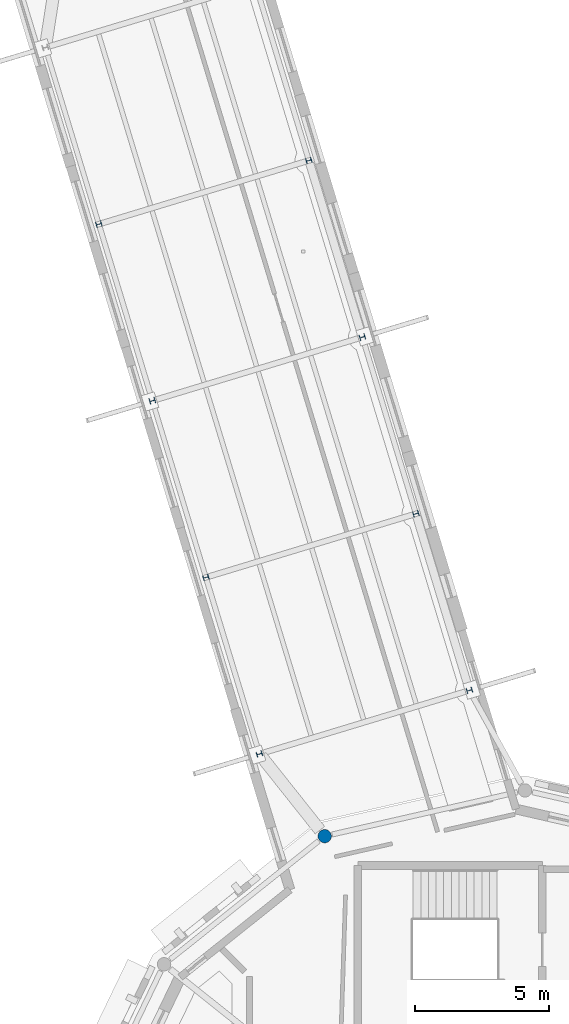
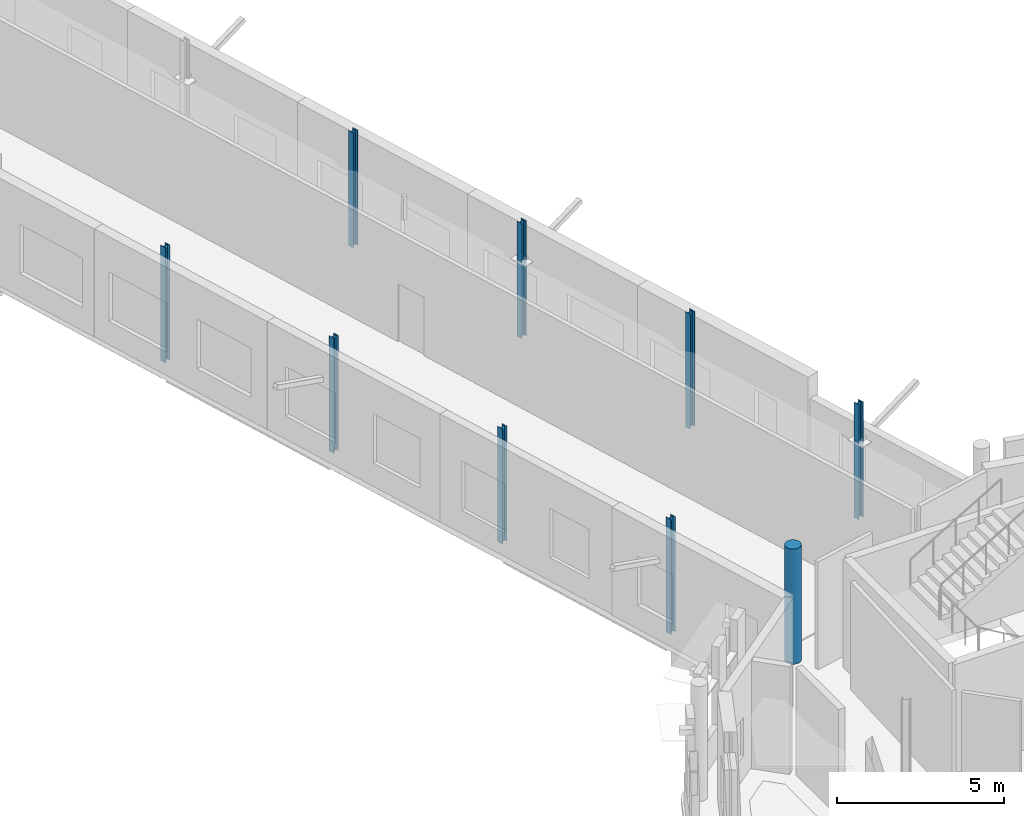
# One storey, part 3 of 90: 9 columns.
"""IFC4 building model written with IfcOpenShell, lengths in metres."""

from ifc_helpers import new_model, si_unit, direction, frame, origin, origin_2d, place, context, subcontext, project, spatial, circle, i_section, extrude, material, material_profile, profile_set, type_object, element, save


model = new_model("IFC4")

# Units and contexts
model_context = context("Model", 3, precision=1e-05, world=origin(), true_north=direction((0.0, 1.0)))
body_context = subcontext(model_context, "Body", "Model", "MODEL_VIEW")
ifc_project = project(units=[si_unit("LENGTHUNIT", "METRE"), si_unit("AREAUNIT", "SQUARE_METRE"), si_unit("VOLUMEUNIT", "CUBIC_METRE"), si_unit("PLANEANGLEUNIT", "RADIAN"), si_unit("MASSUNIT", "GRAM", prefix="KILO")], contexts=[model_context])

# Site, building, storey
site_placement = place(None, origin())
site = spatial("IfcSite", under=ifc_project, at=site_placement, CompositionType="ELEMENT")
building_placement = place(site_placement, origin())
building = spatial("IfcBuilding", under=site, at=building_placement, Name="Wrenclough Park School", CompositionType="ELEMENT")
storey_placement = place(building_placement, frame((0.0, 0.0, 8.39990234375)))
storey = spatial("IfcBuildingStorey", under=building, at=storey_placement, Name="L02", CompositionType="ELEMENT", Elevation=8.39990234375)

# Columns
ifc_material_1 = material(Name="Concrete C40/50", Category="concrete")
ifc_material_profile_1 = material_profile(ifc_material_1, circle(Radius=0.25, at=origin_2d()), Name="RC COL D500")
ifc_profile_set_1 = profile_set([ifc_material_profile_1], Name="Concrete C40/50")
column_type_1 = type_object("IfcColumnType", Name="STR-COL-RCD500", PredefinedType="COLUMN", material=ifc_profile_set_1)
column_placement = place(storey_placement, frame((29.015380859375, 39.041748046875, 0.0), z_axis=(0.0, 0.0, 1.0), x_axis=(-0.90100131981, -0.43381634559, 0.0)))
element("IfcColumn", 1, at=column_placement, inside=storey, type_object=column_type_1, Name="D2 L02 column D2-OUT-05", PredefinedType="COLUMN", context=body_context, shape_type="SweptSolid", body=[
    extrude(circle(Radius=0.25, at=origin_2d()), origin(), (0.0, 0.0, 1.0), 4.2001953125),
])
ifc_material_2 = material(Name="Structural steel S355", Category="steel")
ifc_material_profile_2 = material_profile(ifc_material_2, i_section(OverallWidth=0.20361328125, OverallDepth=0.203125, WebThickness=0.007080078125, FlangeThickness=0.010986328125, FilletRadius=0.01025390625, at=origin_2d()), Name="UKC 203x203x46")
ifc_profile_set_2 = profile_set([ifc_material_profile_2], Name="Structural steel S355")
column_type_2 = type_object("IfcColumnType", Name="STR-COL-UKC203A", PredefinedType="COLUMN", material=ifc_profile_set_2)
for number, where, z_axis, x_axis, name in (
    (2, (26.576171875, 42.111083984375, 0.0), (0.0, 0.0, 1.0), (-0.290034140915, 0.957016299288, 0.0), "W23 L02 column W23-C1-L03"),
    (3, (34.423828125, 44.489013671875, 0.0), (0.0, 0.0, 1.0), (-0.290034140915, 0.957016299288, 0.0), "W23 L02 column W23-C1-R03"),
    (4, (24.576171875, 48.7109375, 0.0), (0.0, 0.0, 1.0), (-0.290034140915, 0.957016299288, 0.0), "W23 L02 column W23-C1-L04"),
    (5, (32.423828125, 51.089111328125, 0.0), (0.0, 0.0, 1.0), (-0.290034140915, 0.957016299288, 0.0), "W23 L02 column W23-C1-R04"),
    (6, (22.576171875, 55.31103515625, 0.0), (0.0, 0.0, 1.0), (-0.290034140915, 0.957016299288, 0.0), "W23 L02 column W23-C1-L05"),
    (7, (30.423828125, 57.68896484375, 0.0), (0.0, 0.0, 1.0), (-0.290034140915, 0.957016299288, 0.0), "W23 L02 column W23-C1-R05"),
    (8, (20.576171875, 61.910888671875, 0.0), (0.0, 0.0, 1.0), (-0.290034140915, 0.957016299288, 0.0), "W23 L02 column W23-C1-L06"),
    (9, (28.423828125, 64.2890625, 0.0), (0.0, 0.0, 1.0), (-0.290034140915, 0.957016299288, 0.0), "W23 L02 column W23-C1-R06"),
):
    element("IfcColumn", number, at=place(storey_placement, frame(where, z_axis=z_axis, x_axis=x_axis)), inside=storey, type_object=column_type_2, Name=name, PredefinedType="COLUMN", context=body_context, shape_type="SweptSolid", body=[
        extrude(i_section(OverallWidth=0.20361328125, OverallDepth=0.203125, WebThickness=0.007080078125, FlangeThickness=0.010986328125, FilletRadius=0.01025390625, at=origin_2d()), origin(), (0.0, 0.0, 1.0), 4.2001953125),
    ])

save(model, "model.ifc")
